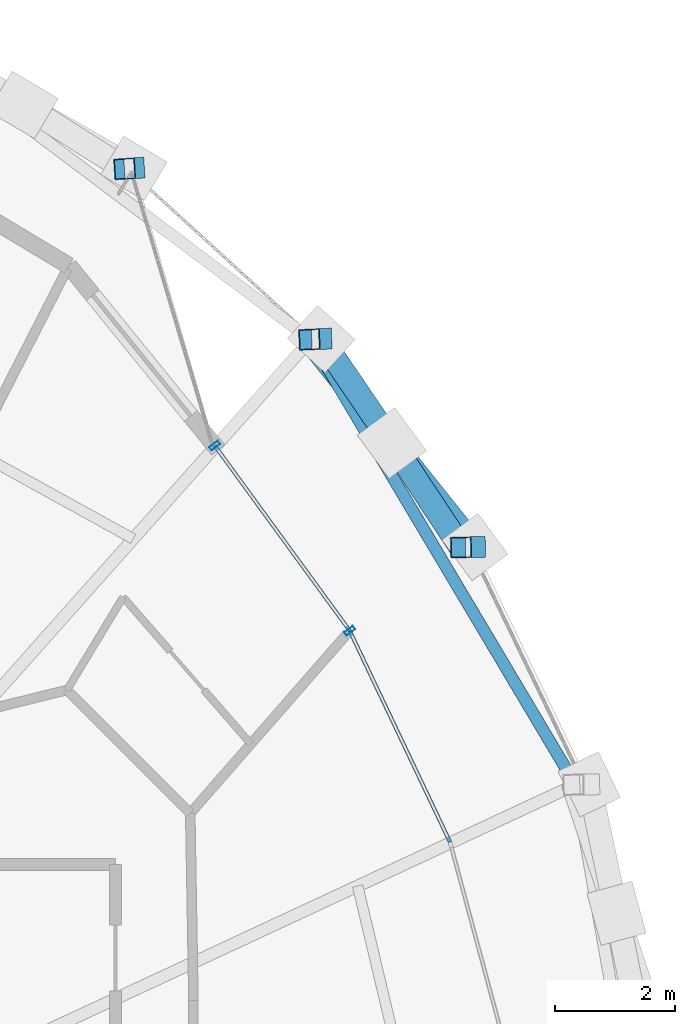
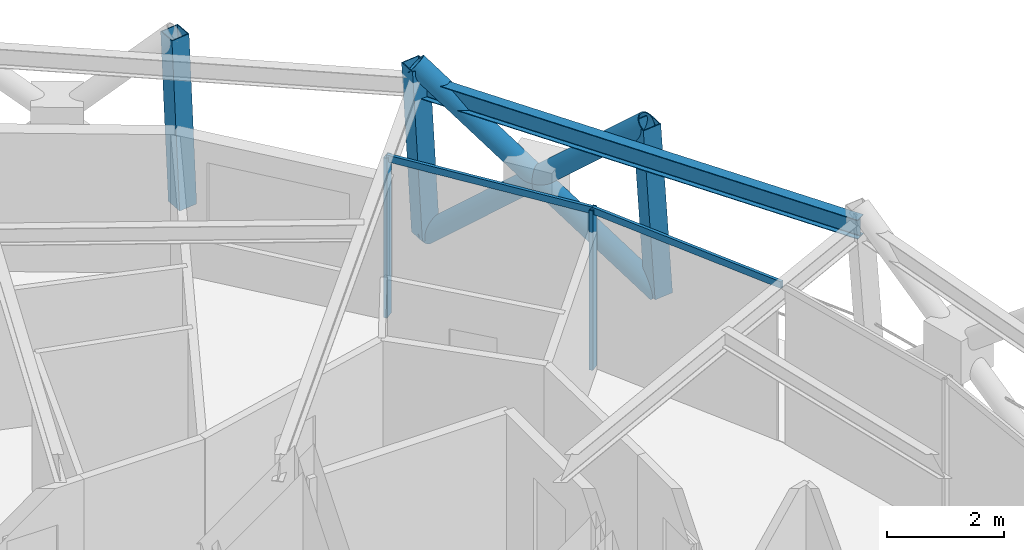
# One storey, part 8 of 16: 10 members, 1 beam, 1 element without a shape of its own.
"""IFC4 building model written with IfcOpenShell, lengths in metres."""

from ifc_helpers import new_model, si_unit, direction, frame, origin, origin_2d, place, context, subcontext, project, spatial, hollow_rectangle, hollow_circle, i_section, extrude, material, layer, layer_set, material_profile, profile_set, type_object, element, aggregate, save


model = new_model("IFC4")

# Units and contexts
model_context = context("Model", 3, precision=1e-05, world=origin(), true_north=direction((0.0, 1.0)))
body_context = subcontext(model_context, "Body", "Model", "MODEL_VIEW")
ifc_project = project(units=[si_unit("LENGTHUNIT", "METRE"), si_unit("AREAUNIT", "SQUARE_METRE"), si_unit("VOLUMEUNIT", "CUBIC_METRE"), si_unit("PLANEANGLEUNIT", "RADIAN"), si_unit("MASSUNIT", "GRAM", prefix="KILO")], contexts=[model_context])

# Site, building, storey
site_placement = place(None, origin())
site = spatial("IfcSite", under=ifc_project, at=site_placement, CompositionType="ELEMENT")
building_placement = place(site_placement, origin())
building = spatial("IfcBuilding", under=site, at=building_placement, Name="Veldorina Hangang Commons", CompositionType="ELEMENT")
storey_placement = place(building_placement, frame((0.0, 0.0, 279.60009765625)))
storey = spatial("IfcBuildingStorey", under=building, at=storey_placement, Name="L73", CompositionType="ELEMENT", Elevation=279.60009765625)

# Beam
ifc_material_1 = material(Name="Steel SM355-TMC", Category="steel")
ifc_material_profile_1 = material_profile(ifc_material_1, i_section(OverallWidth=0.199951171875, OverallDepth=0.39990234375, WebThickness=0.008056640625, FlangeThickness=0.012939453125, FilletRadius=0.012939453125, at=origin_2d()), Name="H-400x200x8x13")
ifc_profile_set_1 = profile_set([ifc_material_profile_1], Name="Steel SM355-TMC")
beam_type = type_object("IfcBeamType", Name="BM-RB400", PredefinedType="BEAM", material=ifc_profile_set_1)
beam_placement = place(storey_placement, frame((50.86962890625, 32.78271484375, 3.159912109375), z_axis=(-0.511122102298, 0.859508113134, 0.0), x_axis=(-0.859508113134, -0.511122102298, 0.0)))
element("IfcBeam", 1, at=beam_placement, inside=storey, type_object=beam_type, Name="L73 perimeter hoop ring beam 02", PredefinedType="BEAM", context=body_context, shape_type="SweptSolid", body=[
    extrude(i_section(OverallWidth=0.199951171875, OverallDepth=0.39990234375, WebThickness=0.008056640625, FlangeThickness=0.012939453125, FilletRadius=0.012939453125, at=origin_2d()), origin(), (0.0, 0.0, 1.0), 8.662353515625),
])

# Curtain wall, members
ifc_material_2 = material(Name="Glass Low-E Selective", Category="glass")
ifc_layer = layer(ifc_material_2, 0.179931640625)
ifc_layer_set = layer_set([ifc_layer], Name="Glass Low-E Selective")
curtain_wall_type = type_object("IfcCurtainWallType", Name="CW-SYS-Z3", PredefinedType="NOTDEFINED", material=ifc_layer_set)
curtain_wall_placement = place(storey_placement, origin())
curtain_wall = element("IfcCurtainWall", 2, at=curtain_wall_placement, inside=storey, type_object=curtain_wall_type, Name="L73 unitised curtain wall CW-L73-R2", PredefinedType="NOTDEFINED")
ifc_material_3 = material(Name="Aluminium Anodized AA6063-T6", Category="aluminium")
ifc_material_profile_2 = material_profile(ifc_material_3, hollow_rectangle(XDim=0.070068359375, YDim=0.179931640625, WallThickness=0.00390625, at=origin_2d()), Name="ALU-RHS-180x70x4")
ifc_profile_set_2 = profile_set([ifc_material_profile_2], Name="Aluminium Anodized AA6063-T6")
member_type_1 = type_object("IfcMemberType", Name="CW-MUL-180", PredefinedType="MULLION", material=ifc_profile_set_2)
member_1_placement = place(storey_placement, frame((47.093505859375, 35.356201171875, 0.0), z_axis=(0.0, 0.0, 1.0), x_axis=(-0.588984805907, 0.808144107453, 0.0)))
member_1 = element("IfcMember", 3, at=member_1_placement, type_object=member_type_1, Name="CW-L73-R2 vertical mullion 4", PredefinedType="MULLION", context=body_context, shape_type="SweptSolid", body=[
    extrude(hollow_rectangle(XDim=0.070068359375, YDim=0.179931640625, WallThickness=0.00390625, at=origin_2d()), origin(), (0.0, 0.0, 1.0), 3.31982421875),
])
member_2_placement = place(storey_placement, frame((44.8359375, 38.45361328125, 0.0), z_axis=(0.0, 0.0, 1.0), x_axis=(0.588984805907, -0.808144107453, 0.0)))
member_2 = element("IfcMember", 4, at=member_2_placement, type_object=member_type_1, Name="CW-L73-R2 vertical mullion 5", PredefinedType="MULLION", context=body_context, shape_type="SweptSolid", body=[
    extrude(hollow_rectangle(XDim=0.070068359375, YDim=0.179931640625, WallThickness=0.00390625, at=origin_2d()), origin(), (0.0, 0.0, 1.0), 3.31982421875),
])
ifc_material_profile_3 = material_profile(ifc_material_3, hollow_rectangle(XDim=0.06005859375, YDim=0.139892578125, WallThickness=0.00341796875, at=origin_2d()), Name="ALU-RHS-140x60x3.5")
ifc_profile_set_3 = profile_set([ifc_material_profile_3], Name="Aluminium Anodized AA6063-T6")
member_type_2 = type_object("IfcMemberType", Name="CW-TRN-140", PredefinedType="USERDEFINED", material=ifc_profile_set_3)
member_3_placement = place(storey_placement, frame((48.77099609375, 31.822265625, 3.27978515625), z_axis=(-0.428821289354, 0.903389341202, 0.0), x_axis=(-0.903389341202, -0.428821289354, 0.0)))
member_3 = element("IfcMember", 5, at=member_3_placement, type_object=member_type_2, Name="CW-L73-R2 facet 4 transom 1", ObjectType="TRANSOM", PredefinedType="USERDEFINED", context=body_context, shape_type="SweptSolid", body=[
    extrude(hollow_rectangle(XDim=0.06005859375, YDim=0.139892578125, WallThickness=0.00341796875, at=origin_2d()), origin(), (0.0, 0.0, 1.0), 3.911865234375),
])
member_4_placement = place(storey_placement, frame((47.093505859375, 35.356201171875, 3.27978515625), z_axis=(-0.589008398856, 0.80812691211, 0.0), x_axis=(-0.80812691211, -0.589008398856, 0.0)))
member_4 = element("IfcMember", 6, at=member_4_placement, type_object=member_type_2, Name="CW-L73-R2 facet 5 transom 1", ObjectType="TRANSOM", PredefinedType="USERDEFINED", context=body_context, shape_type="SweptSolid", body=[
    extrude(hollow_rectangle(XDim=0.06005859375, YDim=0.139892578125, WallThickness=0.00341796875, at=origin_2d()), origin(), (0.0, 0.0, 1.0), 3.832763671875),
])
aggregate(curtain_wall, [member_1, member_2, member_3, member_4])

# Members
ifc_material_profile_4 = material_profile(ifc_material_1, hollow_circle(Radius=0.199951171875, WallThickness=0.02001953125, at=origin_2d()), Name="CHS-400x20")
ifc_profile_set_4 = profile_set([ifc_material_profile_4], Name="Steel SM355-TMC")
member_type_3 = type_object("IfcMemberType", Name="DG-CHS400", PredefinedType="BRACE", material=ifc_profile_set_4)
member_5_placement = place(storey_placement, frame((49.188720703125, 36.756103515625, 0.0), z_axis=(-0.484688521191, 0.607120414606, 0.629668039204), x_axis=(-0.781501228273, -0.623903702672, 0.0)))
element("IfcMember", 7, at=member_5_placement, inside=storey, type_object=member_type_3, Name="L73 continuous perimeter diagrid brace 03", PredefinedType="BRACE", context=body_context, shape_type="SweptSolid", body=[
    extrude(hollow_circle(Radius=0.199951171875, WallThickness=0.02001953125, at=origin_2d()), origin(), (0.0, 0.0, 1.0), 5.717041015625),
])
member_6_placement = place(storey_placement, frame((46.617919921875, 40.235595703125, 0.0), z_axis=(0.426414524127, -0.627727992646, 0.651251273213), x_axis=(0.827196327671, 0.561913014165, 0.0)))
element("IfcMember", 8, at=member_6_placement, inside=storey, type_object=member_type_3, Name="L73 split perimeter diagrid lower brace 04", PredefinedType="BRACE", context=body_context, shape_type="SweptSolid", body=[
    extrude(hollow_circle(Radius=0.199951171875, WallThickness=0.02001953125, at=origin_2d()), origin(), (0.0, 0.0, 1.0), 2.77099609375),
])
member_7_placement = place(storey_placement, frame((47.799560546875, 38.49609375, 1.8046875), z_axis=(0.418408052163, -0.633366738294, 0.650984851366), x_axis=(0.834375550183, 0.551196372682, 0.0)))
element("IfcMember", 9, at=member_7_placement, inside=storey, type_object=member_type_3, Name="L73 split perimeter diagrid upper brace 04", PredefinedType="BRACE", context=body_context, shape_type="SweptSolid", body=[
    extrude(hollow_circle(Radius=0.199951171875, WallThickness=0.02001953125, at=origin_2d()), origin(), (0.0, 0.0, 1.0), 2.757568359375),
])
ifc_material_profile_5 = material_profile(ifc_material_1, hollow_rectangle(XDim=0.35009765625, YDim=0.35009765625, WallThickness=0.01611328125, at=origin_2d()), Name="SHS-350x350x16")
ifc_profile_set_5 = profile_set([ifc_material_profile_5], Name="Steel SM355-TMC")
member_type_4 = type_object("IfcMemberType", Name="STR-SHS350", PredefinedType="STRUT", material=ifc_profile_set_5)
member_8_placement = place(storey_placement, frame((49.188720703125, 36.756103515625, 0.0), z_axis=(-0.065238709046, -0.001827225253, 0.997868013361), x_axis=(0.027997319452, -0.999607998219, 0.0)))
element("IfcMember", 10, at=member_8_placement, inside=storey, type_object=member_type_4, Name="L73 perimeter ring node post 03", PredefinedType="STRUT", context=body_context, shape_type="SweptSolid", body=[
    extrude(hollow_rectangle(XDim=0.35009765625, YDim=0.35009765625, WallThickness=0.01611328125, at=origin_2d()), origin(), (0.0, 0.0, 1.0), 3.607666015625),
])
member_9_placement = place(storey_placement, frame((46.617919921875, 40.235595703125, 0.0), z_axis=(-0.055526119102, -0.002370017279, 0.998454422152), x_axis=(0.042644099308, -0.999090326644, 0.0)))
element("IfcMember", 11, at=member_9_placement, inside=storey, type_object=member_type_4, Name="L73 perimeter ring node post 04", PredefinedType="STRUT", context=body_context, shape_type="SweptSolid", body=[
    extrude(hollow_rectangle(XDim=0.35009765625, YDim=0.35009765625, WallThickness=0.01611328125, at=origin_2d()), origin(), (0.0, 0.0, 1.0), 3.60546875),
])
member_10_placement = place(storey_placement, frame((43.485107421875, 43.091064453125, 0.0), z_axis=(-0.043634055947, -0.002777944556, 0.999043718856), x_axis=(0.063535965105, -0.997979549459, 0.0)))
element("IfcMember", 12, at=member_10_placement, inside=storey, type_object=member_type_4, Name="L73 perimeter ring node post 05", PredefinedType="STRUT", context=body_context, shape_type="SweptSolid", body=[
    extrude(hollow_rectangle(XDim=0.35009765625, YDim=0.35009765625, WallThickness=0.01611328125, at=origin_2d()), origin(), (0.0, 0.0, 1.0), 3.603271484375),
])

save(model, "model.ifc")
